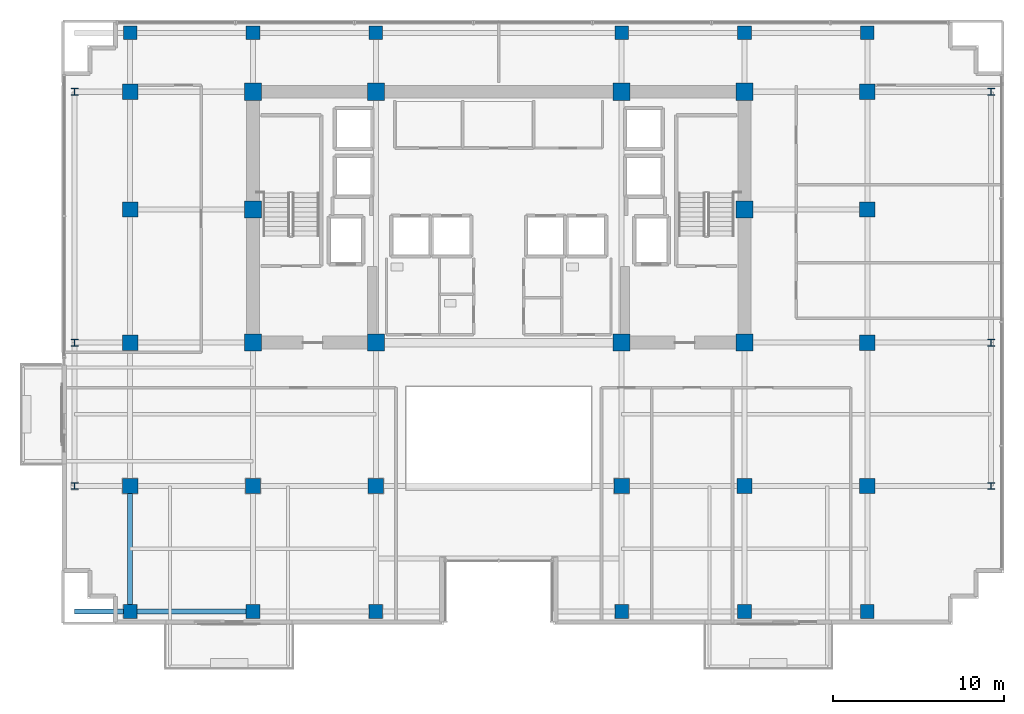
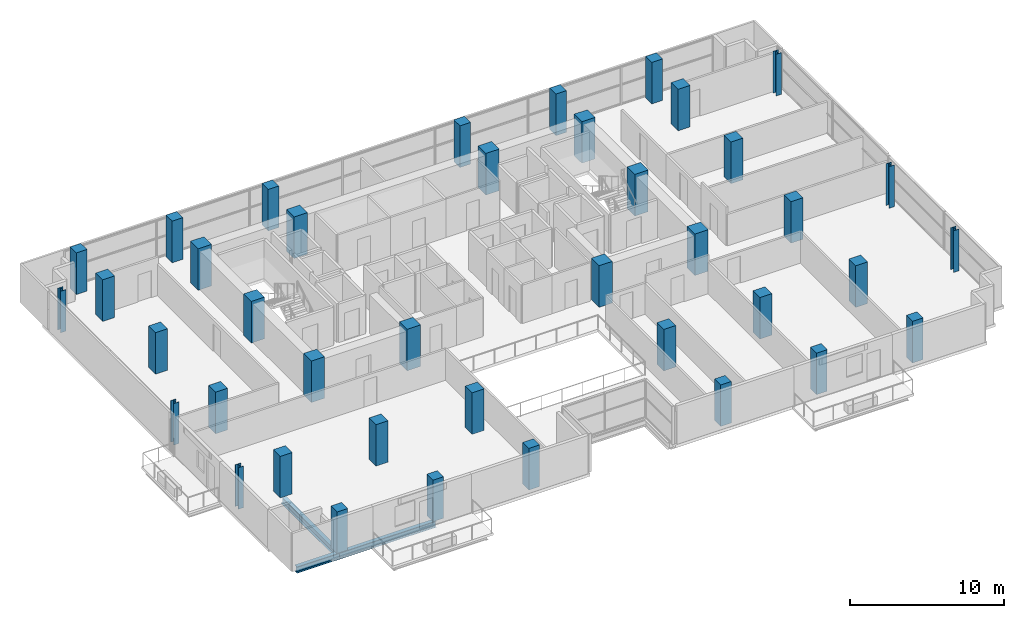
# One storey, part 1 of 22: 40 columns, 3 beams.
"""IFC4 building model written with IfcOpenShell, lengths in metres."""

from ifc_helpers import new_model, si_unit, direction, frame, origin, origin_2d, place, context, subcontext, project, spatial, rectangle, i_section, extrude, material, material_profile, profile_set, type_object, element, save


model = new_model("IFC4")

# Units and contexts
model_context = context("Model", 3, precision=1e-05, world=origin(), true_north=direction((0.0, 1.0)))
body_context = subcontext(model_context, "Body", "Model", "MODEL_VIEW")
ifc_project = project(units=[si_unit("LENGTHUNIT", "METRE"), si_unit("AREAUNIT", "SQUARE_METRE"), si_unit("VOLUMEUNIT", "CUBIC_METRE"), si_unit("PLANEANGLEUNIT", "RADIAN"), si_unit("MASSUNIT", "GRAM", prefix="KILO")], contexts=[model_context])

# Site, building, storey
site_placement = place(None, origin())
site = spatial("IfcSite", under=ifc_project, at=site_placement, CompositionType="ELEMENT")
building_placement = place(site_placement, origin())
building = spatial("IfcBuilding", under=site, at=building_placement, Name="Zarnakvel Exchange Tower", CompositionType="ELEMENT")
storey_placement = place(building_placement, frame((0.0, 0.0, 136.300048828125)))
storey = spatial("IfcBuildingStorey", under=building, at=storey_placement, Name="L38", CompositionType="ELEMENT", Elevation=136.300048828125)

# Columns
ifc_material_1 = material(Name="Concrete C60/75", Category="concrete")
ifc_material_profile_1 = material_profile(ifc_material_1, rectangle(XDim=1.0, YDim=1.0, at=origin_2d()))
ifc_profile_set_1 = profile_set([ifc_material_profile_1], Name="Concrete C60/75")
column_type_1 = type_object("IfcColumnType", Name="CC-02", PredefinedType="COLUMN", material=ifc_profile_set_1)
for number, where, z_axis, x_axis, name in (
    (1, (-14.39990234375, -1.199951171875, 0.0), (0.0, 0.0, 1.0), (1.0, 0.0, 0.0), "L38 Column C-4D (CC-02)"),
    (2, (-7.199951171875, -1.199951171875, 0.0), (0.0, 0.0, 1.0), (1.0, 0.0, 0.0), "L38 Column C-5D (CC-02)"),
    (3, (7.199951171875, -1.199951171875, 0.0), (0.0, 0.0, 1.0), (1.0, 0.0, 0.0), "L38 Column C-8D (CC-02)"),
    (4, (14.39990234375, -1.199951171875, 0.0), (0.0, 0.0, 1.0), (1.0, 0.0, 0.0), "L38 Column C-9D (CC-02)"),
    (5, (-14.39990234375, 6.60009765625, 0.0), (0.0, 0.0, 1.0), (1.0, 0.0, 0.0), "L38 Column C-4E (CC-02)"),
    (6, (14.39990234375, 6.60009765625, 0.0), (0.0, 0.0, 1.0), (1.0, 0.0, 0.0), "L38 Column C-9E (CC-02)"),
    (7, (-14.39990234375, 13.5, 0.0), (0.0, 0.0, 1.0), (1.0, 0.0, 0.0), "L38 Column C-4F (CC-02)"),
    (8, (-7.199951171875, 13.5, 0.0), (0.0, 0.0, 1.0), (1.0, 0.0, 0.0), "L38 Column C-5F (CC-02)"),
    (9, (7.199951171875, 13.5, 0.0), (0.0, 0.0, 1.0), (1.0, 0.0, 0.0), "L38 Column C-8F (CC-02)"),
    (10, (14.39990234375, 13.5, 0.0), (0.0, 0.0, 1.0), (1.0, 0.0, 0.0), "L38 Column C-9F (CC-02)"),
):
    element("IfcColumn", number, at=place(storey_placement, frame(where, z_axis=z_axis, x_axis=x_axis)), inside=storey, type_object=column_type_1, Name=name, PredefinedType="COLUMN", context=body_context, shape_type="SweptSolid", body=[
        extrude(rectangle(XDim=1.0, YDim=1.0, at=origin_2d()), origin(), (0.0, 0.0, 1.0), 3.300048828125),
    ])
ifc_material_2 = material(Name="Steel S355", Category="steel")
ifc_material_profile_2 = material_profile(ifc_material_2, i_section(OverallWidth=0.404052734375, OverallDepth=0.406982421875, WebThickness=0.0224609375, FlangeThickness=0.031982421875, FilletRadius=0.014892578125, at=origin_2d()))
ifc_profile_set_2 = profile_set([ifc_material_profile_2], Name="Steel S355")
column_type_2 = type_object("IfcColumnType", Name="SC-02", PredefinedType="COLUMN", material=ifc_profile_set_2)
for number, where, z_axis, x_axis, name in (
    (11, (-24.85009765625, -9.60009765625, 0.0), (0.0, 0.0, 1.0), (1.0, 0.0, 0.0), "L38 Column TW-C (SC-02)"),
    (12, (28.85009765625, -9.60009765625, 0.0), (0.0, 0.0, 1.0), (1.0, 0.0, 0.0), "L38 Column TE-C (SC-02)"),
    (13, (-24.85009765625, -1.199951171875, 0.0), (0.0, 0.0, 1.0), (1.0, 0.0, 0.0), "L38 Column TW-D (SC-02)"),
    (14, (28.85009765625, -1.199951171875, 0.0), (0.0, 0.0, 1.0), (1.0, 0.0, 0.0), "L38 Column TE-D (SC-02)"),
    (15, (-24.85009765625, 13.5, 0.0), (0.0, 0.0, 1.0), (1.0, 0.0, 0.0), "L38 Column TW-F (SC-02)"),
    (16, (28.85009765625, 13.5, 0.0), (0.0, 0.0, 1.0), (1.0, 0.0, 0.0), "L38 Column TE-F (SC-02)"),
):
    element("IfcColumn", number, at=place(storey_placement, frame(where, z_axis=z_axis, x_axis=x_axis)), inside=storey, type_object=column_type_2, Name=name, PredefinedType="COLUMN", context=body_context, shape_type="SweptSolid", body=[
        extrude(i_section(OverallWidth=0.404052734375, OverallDepth=0.406982421875, WebThickness=0.0224609375, FlangeThickness=0.031982421875, FilletRadius=0.014892578125, at=origin_2d()), origin(), (0.0, 0.0, 1.0), 3.300048828125),
    ])
ifc_material_profile_3 = material_profile(ifc_material_1, rectangle(XDim=0.89990234375, YDim=0.89990234375, at=origin_2d()))
ifc_profile_set_3 = profile_set([ifc_material_profile_3], Name="Concrete C60/75")
column_type_3 = type_object("IfcColumnType", Name="TC-02", PredefinedType="COLUMN", material=ifc_profile_set_3)
for number, where, z_axis, x_axis, name in (
    (17, (-14.39990234375, -9.60009765625, 0.0), (0.0, 0.0, 1.0), (1.0, 0.0, 0.0), "L38 Column T-4C (TC-02)"),
    (18, (-7.199951171875, -9.60009765625, 0.0), (0.0, 0.0, 1.0), (1.0, 0.0, 0.0), "L38 Column T-5C (TC-02)"),
    (19, (7.199951171875, -9.60009765625, 0.0), (0.0, 0.0, 1.0), (1.0, 0.0, 0.0), "L38 Column T-8C (TC-02)"),
    (20, (14.39990234375, -9.60009765625, 0.0), (0.0, 0.0, 1.0), (1.0, 0.0, 0.0), "L38 Column T-9C (TC-02)"),
    (21, (-21.60009765625, -9.60009765625, 0.0), (0.0, 0.0, 1.0), (1.0, 0.0, 0.0), "L38 Column T-3C (TC-02)"),
    (22, (-21.60009765625, -1.199951171875, 0.0), (0.0, 0.0, 1.0), (1.0, 0.0, 0.0), "L38 Column T-3D (TC-02)"),
    (23, (-21.60009765625, 6.60009765625, 0.0), (0.0, 0.0, 1.0), (1.0, 0.0, 0.0), "L38 Column T-3E (TC-02)"),
    (24, (-21.60009765625, 13.5, 0.0), (0.0, 0.0, 1.0), (1.0, 0.0, 0.0), "L38 Column T-3F (TC-02)"),
    (25, (21.60009765625, -9.60009765625, 0.0), (0.0, 0.0, 1.0), (1.0, 0.0, 0.0), "L38 Column T-10C (TC-02)"),
    (26, (21.60009765625, -1.199951171875, 0.0), (0.0, 0.0, 1.0), (1.0, 0.0, 0.0), "L38 Column T-10D (TC-02)"),
    (27, (21.60009765625, 6.60009765625, 0.0), (0.0, 0.0, 1.0), (1.0, 0.0, 0.0), "L38 Column T-10E (TC-02)"),
    (28, (21.60009765625, 13.5, 0.0), (0.0, 0.0, 1.0), (1.0, 0.0, 0.0), "L38 Column T-10F (TC-02)"),
):
    element("IfcColumn", number, at=place(storey_placement, frame(where, z_axis=z_axis, x_axis=x_axis)), inside=storey, type_object=column_type_3, Name=name, PredefinedType="COLUMN", context=body_context, shape_type="SweptSolid", body=[
        extrude(rectangle(XDim=0.89990234375, YDim=0.89990234375, at=origin_2d()), origin(), (0.0, 0.0, 1.0), 3.300048828125),
    ])
ifc_material_profile_4 = material_profile(ifc_material_1, rectangle(XDim=0.800048828125, YDim=0.800048828125, at=origin_2d()))
ifc_profile_set_4 = profile_set([ifc_material_profile_4], Name="Concrete C60/75")
column_type_4 = type_object("IfcColumnType", Name="TC-03", PredefinedType="COLUMN", material=ifc_profile_set_4)
for number, where, z_axis, x_axis, name in (
    (29, (-14.39990234375, -16.949951171875, 0.0), (0.0, 0.0, 1.0), (1.0, 0.0, 0.0), "L38 Column TS-4 (TC-03)"),
    (30, (-14.39990234375, 16.949951171875, 0.0), (0.0, 0.0, 1.0), (1.0, 0.0, 0.0), "L38 Column TN-4 (TC-03)"),
    (31, (-7.199951171875, -16.949951171875, 0.0), (0.0, 0.0, 1.0), (1.0, 0.0, 0.0), "L38 Column TS-5 (TC-03)"),
    (32, (-7.199951171875, 16.949951171875, 0.0), (0.0, 0.0, 1.0), (1.0, 0.0, 0.0), "L38 Column TN-5 (TC-03)"),
    (33, (7.199951171875, -16.949951171875, 0.0), (0.0, 0.0, 1.0), (1.0, 0.0, 0.0), "L38 Column TS-8 (TC-03)"),
    (34, (7.199951171875, 16.949951171875, 0.0), (0.0, 0.0, 1.0), (1.0, 0.0, 0.0), "L38 Column TN-8 (TC-03)"),
    (35, (14.39990234375, -16.949951171875, 0.0), (0.0, 0.0, 1.0), (1.0, 0.0, 0.0), "L38 Column TS-9 (TC-03)"),
    (36, (14.39990234375, 16.949951171875, 0.0), (0.0, 0.0, 1.0), (1.0, 0.0, 0.0), "L38 Column TN-9 (TC-03)"),
    (37, (-21.60009765625, -16.949951171875, 0.0), (0.0, 0.0, 1.0), (1.0, 0.0, 0.0), "L38 Column TS-3 (TC-03)"),
    (38, (-21.60009765625, 16.949951171875, 0.0), (0.0, 0.0, 1.0), (1.0, 0.0, 0.0), "L38 Column TN-3 (TC-03)"),
    (39, (21.60009765625, -16.949951171875, 0.0), (0.0, 0.0, 1.0), (1.0, 0.0, 0.0), "L38 Column TS-10 (TC-03)"),
    (40, (21.60009765625, 16.949951171875, 0.0), (0.0, 0.0, 1.0), (1.0, 0.0, 0.0), "L38 Column TN-10 (TC-03)"),
):
    element("IfcColumn", number, at=place(storey_placement, frame(where, z_axis=z_axis, x_axis=x_axis)), inside=storey, type_object=column_type_4, Name=name, PredefinedType="COLUMN", context=body_context, shape_type="SweptSolid", body=[
        extrude(rectangle(XDim=0.800048828125, YDim=0.800048828125, at=origin_2d()), origin(), (0.0, 0.0, 1.0), 3.300048828125),
    ])

# Beams
ifc_material_profile_5 = material_profile(ifc_material_2, i_section(OverallWidth=0.300048828125, OverallDepth=0.550048828125, WebThickness=0.014892578125, FlangeThickness=0.029052734375, FilletRadius=0.027099609375, at=origin_2d()))
ifc_profile_set_5 = profile_set([ifc_material_profile_5], Name="Steel S355")
beam_type_1 = type_object("IfcBeamType", Name="G-05", PredefinedType="BEAM", material=ifc_profile_set_5)
beam_1_placement = place(storey_placement, frame((-21.60009765625, -16.949951171875, -0.5), z_axis=(0.0, 1.0, 0.0), x_axis=(-1.0, 0.0, 0.0)))
element("IfcBeam", 41, at=beam_1_placement, inside=storey, type_object=beam_type_1, Name="L38 Tower N-S Frame Beam", PredefinedType="BEAM", context=body_context, shape_type="SweptSolid", body=[
    extrude(i_section(OverallWidth=0.300048828125, OverallDepth=0.550048828125, WebThickness=0.014892578125, FlangeThickness=0.029052734375, FilletRadius=0.027099609375, at=origin_2d()), origin(), (0.0, 0.0, 1.0), 7.349853515625),
])
ifc_material_profile_6 = material_profile(ifc_material_2, i_section(OverallWidth=0.300048828125, OverallDepth=0.5, WebThickness=0.014404296875, FlangeThickness=0.028076171875, FilletRadius=0.027099609375, at=origin_2d()))
ifc_profile_set_6 = profile_set([ifc_material_profile_6], Name="Steel S355")
beam_type_2 = type_object("IfcBeamType", Name="SP-02", PredefinedType="SPANDREL", material=ifc_profile_set_6)
beam_2_placement = place(storey_placement, frame((-21.60009765625, -16.949951171875, -0.47509765625), z_axis=(1.0, 0.0, 0.0), x_axis=(0.0, 1.0, 0.0)))
element("IfcBeam", 42, at=beam_2_placement, inside=storey, type_object=beam_type_2, Name="L38 Tower E-W Frame Beam", PredefinedType="SPANDREL", context=body_context, shape_type="SweptSolid", body=[
    extrude(i_section(OverallWidth=0.300048828125, OverallDepth=0.5, WebThickness=0.014404296875, FlangeThickness=0.028076171875, FilletRadius=0.027099609375, at=origin_2d()), origin(), (0.0, 0.0, 1.0), 7.2001953125),
])
beam_3_placement = place(storey_placement, frame((-24.85009765625, -16.949951171875, -0.47509765625), z_axis=(1.0, 0.0, 0.0), x_axis=(0.0, 1.0, 0.0)))
element("IfcBeam", 43, at=beam_3_placement, inside=storey, type_object=beam_type_2, Name="L38 South-West Corner Spandrel", PredefinedType="SPANDREL", context=body_context, shape_type="SweptSolid", body=[
    extrude(i_section(OverallWidth=0.300048828125, OverallDepth=0.5, WebThickness=0.014404296875, FlangeThickness=0.028076171875, FilletRadius=0.027099609375, at=origin_2d()), origin(), (0.0, 0.0, 1.0), 3.25),
])

save(model, "model.ifc")
